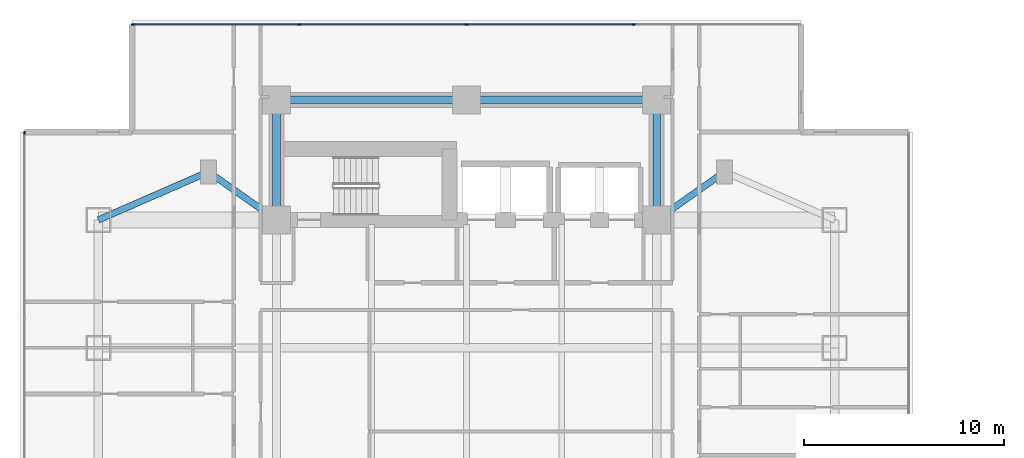
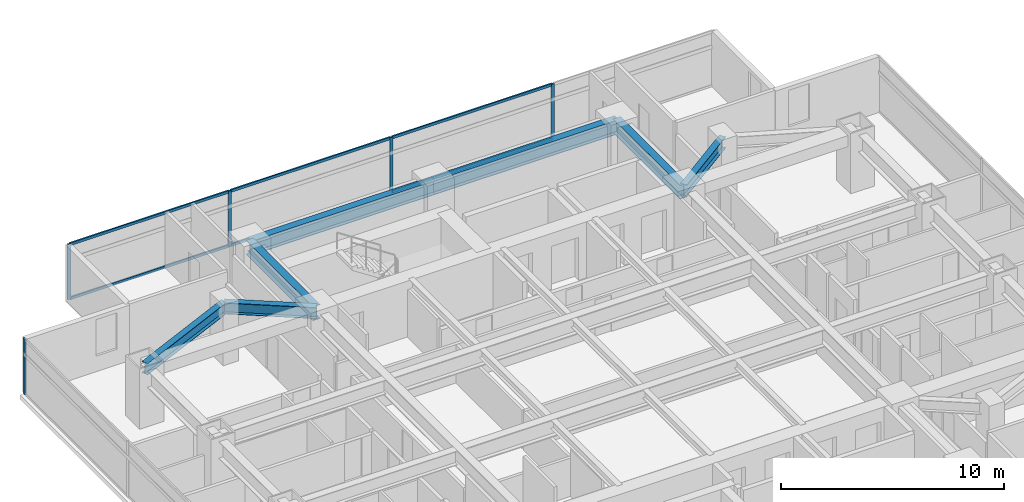
# One storey, part 7 of 25: 11 members, 7 beams, 2 elements without a shape of their own.
"""IFC4 building model written with IfcOpenShell, lengths in metres."""

from ifc_helpers import new_model, si_unit, direction, frame, origin, origin_2d, place, context, subcontext, project, spatial, rectangle, i_section, extrude, material, material_profile, profile_set, type_object, element, aggregate, save


model = new_model("IFC4")

# Units and contexts
model_context = context("Model", 3, precision=1e-05, world=origin(), true_north=direction((0.0, 1.0)))
body_context = subcontext(model_context, "Body", "Model", "MODEL_VIEW")
ifc_project = project(units=[si_unit("LENGTHUNIT", "METRE"), si_unit("AREAUNIT", "SQUARE_METRE"), si_unit("VOLUMEUNIT", "CUBIC_METRE"), si_unit("PLANEANGLEUNIT", "RADIAN"), si_unit("MASSUNIT", "GRAM", prefix="KILO")], contexts=[model_context])

# Site, building, storey
site_placement = place(None, origin())
site = spatial("IfcSite", under=ifc_project, at=site_placement, CompositionType="ELEMENT")
building_placement = place(site_placement, origin())
building = spatial("IfcBuilding", under=site, at=building_placement, Name="Mirazonda Arch Towers", CompositionType="ELEMENT")
storey_placement = place(building_placement, frame((0.0, 0.0, 35.60009765625)))
storey = spatial("IfcBuildingStorey", under=building, at=storey_placement, Name="L09", CompositionType="ELEMENT", Elevation=35.60009765625)

# Beams
ifc_material_1 = material(Name="Steel ASTM A992 Grade 50", Category="steel")
ifc_material_profile_1 = material_profile(ifc_material_1, i_section(OverallWidth=0.324951171875, OverallDepth=0.615966796875, WebThickness=0.013916015625, FlangeThickness=0.021484375, at=origin_2d()), Name="W24X117")
ifc_profile_set_1 = profile_set([ifc_material_profile_1], Name="Steel ASTM A992 Grade 50")
beam_type_1 = type_object("IfcBeamType", Name="BM-INT-W24X117", PredefinedType="BEAM", material=ifc_profile_set_1)
beam_1_placement = place(storey_placement, frame((7.60009765625, 40.0, 2.751953125), z_axis=(0.816971114901, -0.576678591087, 0.0), x_axis=(0.576678591087, 0.816971114901, 0.0)))
element("IfcBeam", 1, at=beam_1_placement, inside=storey, type_object=beam_type_1, Name="L09 Floor Beam BM-T1-L09-PL-NW1", PredefinedType="BEAM", context=body_context, shape_type="SweptSolid", body=[
    extrude(i_section(OverallWidth=0.324951171875, OverallDepth=0.615966796875, WebThickness=0.013916015625, FlangeThickness=0.021484375, at=origin_2d()), origin(), (0.0, 0.0, 1.0), 4.16162109375),
])
beam_2_placement = place(storey_placement, frame((7.60009765625, 40.0, 2.751953125), z_axis=(-0.916545343703, -0.399930785183, 0.0), x_axis=(0.399930785183, -0.916545343703, 0.0)))
element("IfcBeam", 2, at=beam_2_placement, inside=storey, type_object=beam_type_1, Name="L09 Floor Beam BM-T1-L09-PL-NW2", PredefinedType="BEAM", context=body_context, shape_type="SweptSolid", body=[
    extrude(i_section(OverallWidth=0.324951171875, OverallDepth=0.615966796875, WebThickness=0.013916015625, FlangeThickness=0.021484375, at=origin_2d()), origin(), (0.0, 0.0, 1.0), 6.000732421875),
])
beam_3_placement = place(storey_placement, frame((33.39990234375, 40.0, 2.751953125), z_axis=(-0.816971114901, -0.576678591087, 0.0), x_axis=(0.576678591087, -0.816971114901, 0.0)))
element("IfcBeam", 3, at=beam_3_placement, inside=storey, type_object=beam_type_1, Name="L09 Floor Beam BM-T1-L09-PL-NE1", PredefinedType="BEAM", context=body_context, shape_type="SweptSolid", body=[
    extrude(i_section(OverallWidth=0.324951171875, OverallDepth=0.615966796875, WebThickness=0.013916015625, FlangeThickness=0.021484375, at=origin_2d()), origin(), (0.0, 0.0, 1.0), 4.16162109375),
])
ifc_material_profile_2 = material_profile(ifc_material_1, i_section(OverallWidth=0.381103515625, OverallDepth=0.77294921875, WebThickness=0.0166015625, FlangeThickness=0.027099609375, at=origin_2d()), Name="W30X173")
ifc_profile_set_2 = profile_set([ifc_material_profile_2], Name="Steel ASTM A992 Grade 50")
beam_type_2 = type_object("IfcBeamType", Name="BM-INT-W30X173", PredefinedType="USERDEFINED", material=ifc_profile_set_2)
for number, where, z_axis, x_axis, name in (
    (4, (11.0, 43.60009765625, 2.67333984375), (1.0, 0.0, 0.0), (0.0, 1.0, 0.0), "L09 Floor Beam BM-T1-L09-CN1"),
    (5, (20.5, 43.60009765625, 2.67333984375), (1.0, 0.0, 0.0), (0.0, 1.0, 0.0), "L09 Floor Beam BM-T1-L09-CN2"),
):
    element("IfcBeam", number, at=place(storey_placement, frame(where, z_axis=z_axis, x_axis=x_axis)), inside=storey, type_object=beam_type_2, Name=name, ObjectType="GIRDER", PredefinedType="USERDEFINED", context=body_context, shape_type="SweptSolid", body=[
        extrude(i_section(OverallWidth=0.381103515625, OverallDepth=0.77294921875, WebThickness=0.0166015625, FlangeThickness=0.027099609375, at=origin_2d()), origin(), (0.0, 0.0, 1.0), 9.5),
    ])
for number, where, z_axis, x_axis, name in (
    (6, (11.0, 37.60009765625, 2.67333984375), (0.0, 1.0, 0.0), (-1.0, 0.0, 0.0), "L09 Floor Beam BM-T1-L09-CNW"),
    (7, (30.0, 37.60009765625, 2.67333984375), (0.0, 1.0, 0.0), (-1.0, 0.0, 0.0), "L09 Floor Beam BM-T1-L09-CNE"),
):
    element("IfcBeam", number, at=place(storey_placement, frame(where, z_axis=z_axis, x_axis=x_axis)), inside=storey, type_object=beam_type_2, Name=name, ObjectType="GIRDER", PredefinedType="USERDEFINED", context=body_context, shape_type="SweptSolid", body=[
        extrude(i_section(OverallWidth=0.381103515625, OverallDepth=0.77294921875, WebThickness=0.0166015625, FlangeThickness=0.027099609375, at=origin_2d()), origin(), (0.0, 0.0, 1.0), 6.0),
    ])

# Curtain wall, members
ifc_material_2 = material(Name="Anodised Aluminium and Low-E Glass", Category="aluminium")
curtain_wall_type = type_object("IfcCurtainWallType", Name="CW-HTL-UNIT", PredefinedType="NOTDEFINED", material=ifc_material_2)
curtain_wall_1_placement = place(storey_placement, origin())
curtain_wall_1 = element("IfcCurtainWall", 8, at=curtain_wall_1_placement, inside=storey, type_object=curtain_wall_type, Name="L09 T1 N Facade CW-L09-T1-N", PredefinedType="NOTDEFINED")
ifc_material_3 = material(Name="Anodised Aluminium Alloy", Category="aluminium")
ifc_material_profile_3 = material_profile(ifc_material_3, rectangle(XDim=0.074951171875, YDim=0.1650390625, at=origin_2d()), Name="ALU-MULL-75x165")
ifc_profile_set_3 = profile_set([ifc_material_profile_3], Name="Anodised Aluminium Alloy")
member_type_1 = type_object("IfcMemberType", Name="MULL-CW-HTL-UNIT", PredefinedType="MULLION", material=ifc_profile_set_3)
member_1_placement = place(storey_placement, frame((3.8173828125, 47.3720703125, 0.0), z_axis=(0.0, 0.0, 1.0), x_axis=(0.0, 1.0, 0.0)))
member_1 = element("IfcMember", 9, at=member_1_placement, type_object=member_type_1, Name="CW-112 mullion 1", PredefinedType="MULLION", context=body_context, shape_type="SweptSolid", body=[
    extrude(rectangle(XDim=0.074951171875, YDim=0.1650390625, at=origin_2d()), origin(), (0.0, 0.0, 1.0), 3.039794921875),
])
member_2_placement = place(storey_placement, frame((12.139892578125, 47.3720703125, 0.0), z_axis=(0.0, 0.0, 1.0), x_axis=(0.0, 1.0, 0.0)))
member_2 = element("IfcMember", 10, at=member_2_placement, type_object=member_type_1, Name="CW-112 mullion 2", PredefinedType="MULLION", context=body_context, shape_type="SweptSolid", body=[
    extrude(rectangle(XDim=0.074951171875, YDim=0.1650390625, at=origin_2d()), origin(), (0.0, 0.0, 1.0), 3.039794921875),
])
member_3_placement = place(storey_placement, frame((20.5, 47.3720703125, 0.0), z_axis=(0.0, 0.0, 1.0), x_axis=(0.0, 1.0, 0.0)))
member_3 = element("IfcMember", 11, at=member_3_placement, type_object=member_type_1, Name="CW-112 mullion 3", PredefinedType="MULLION", context=body_context, shape_type="SweptSolid", body=[
    extrude(rectangle(XDim=0.074951171875, YDim=0.1650390625, at=origin_2d()), origin(), (0.0, 0.0, 1.0), 3.039794921875),
])
member_4_placement = place(storey_placement, frame((28.860107421875, 47.3720703125, 0.0), z_axis=(0.0, 0.0, 1.0), x_axis=(0.0, 1.0, 0.0)))
member_4 = element("IfcMember", 12, at=member_4_placement, type_object=member_type_1, Name="CW-112 mullion 4", PredefinedType="MULLION", context=body_context, shape_type="SweptSolid", body=[
    extrude(rectangle(XDim=0.074951171875, YDim=0.1650390625, at=origin_2d()), origin(), (0.0, 0.0, 1.0), 3.039794921875),
])

# Curtain wall, member
curtain_wall_2_placement = place(storey_placement, origin())
curtain_wall_2 = element("IfcCurtainWall", 13, at=curtain_wall_2_placement, inside=storey, type_object=curtain_wall_type, Name="L09 T1 W Facade CW-L09-T1-W", PredefinedType="NOTDEFINED")
member_5_placement = place(storey_placement, frame((-1.60009765625, 41.95458984375, 0.0), z_axis=(0.0, 0.0, 1.0), x_axis=(1.0, 0.0, 0.0)))
member_5 = element("IfcMember", 14, at=member_5_placement, type_object=member_type_1, Name="CW-112 mullion 1", PredefinedType="MULLION", context=body_context, shape_type="SweptSolid", body=[
    extrude(rectangle(XDim=0.074951171875, YDim=0.1650390625, at=origin_2d()), origin(), (0.0, 0.0, 1.0), 3.039794921875),
])
aggregate(curtain_wall_2, [member_5])

# Member
ifc_material_profile_4 = material_profile(ifc_material_3, rectangle(XDim=0.074951171875, YDim=0.14501953125, at=origin_2d()), Name="ALU-TRAN-75x145")
ifc_profile_set_4 = profile_set([ifc_material_profile_4], Name="Anodised Aluminium Alloy")
member_type_2 = type_object("IfcMemberType", Name="TRAN-CW-HTL-UNIT", PredefinedType="USERDEFINED", material=ifc_profile_set_4)
member_6_placement = place(storey_placement, frame((3.85498046875, 47.3720703125, 0.037353515625), z_axis=(1.0, 0.0, 0.0), x_axis=(0.0, 1.0, 0.0)))
member_6 = element("IfcMember", 15, at=member_6_placement, type_object=member_type_2, Name="CW-112 transom 1.1", ObjectType="TRANSOM", PredefinedType="USERDEFINED", context=body_context, shape_type="SweptSolid", body=[
    extrude(rectangle(XDim=0.074951171875, YDim=0.14501953125, at=origin_2d()), origin(), (0.0, 0.0, 1.0), 8.24755859375),
])

member_7_placement = place(storey_placement, frame((3.85498046875, 47.3720703125, 3.00244140625), z_axis=(1.0, 0.0, 0.0), x_axis=(0.0, 1.0, 0.0)))
member_7 = element("IfcMember", 16, at=member_7_placement, type_object=member_type_2, Name="CW-112 transom 1.2", ObjectType="TRANSOM", PredefinedType="USERDEFINED", context=body_context, shape_type="SweptSolid", body=[
    extrude(rectangle(XDim=0.074951171875, YDim=0.14501953125, at=origin_2d()), origin(), (0.0, 0.0, 1.0), 8.24755859375),
])

member_8_placement = place(storey_placement, frame((12.177490234375, 47.3720703125, 0.037353515625), z_axis=(1.0, 0.0, 0.0), x_axis=(0.0, 1.0, 0.0)))
member_8 = element("IfcMember", 17, at=member_8_placement, type_object=member_type_2, Name="CW-112 transom 2.1", ObjectType="TRANSOM", PredefinedType="USERDEFINED", context=body_context, shape_type="SweptSolid", body=[
    extrude(rectangle(XDim=0.074951171875, YDim=0.14501953125, at=origin_2d()), origin(), (0.0, 0.0, 1.0), 8.284912109375),
])

member_9_placement = place(storey_placement, frame((12.177490234375, 47.3720703125, 3.00244140625), z_axis=(1.0, 0.0, 0.0), x_axis=(0.0, 1.0, 0.0)))
member_9 = element("IfcMember", 18, at=member_9_placement, type_object=member_type_2, Name="CW-112 transom 2.2", ObjectType="TRANSOM", PredefinedType="USERDEFINED", context=body_context, shape_type="SweptSolid", body=[
    extrude(rectangle(XDim=0.074951171875, YDim=0.14501953125, at=origin_2d()), origin(), (0.0, 0.0, 1.0), 8.284912109375),
])

member_10_placement = place(storey_placement, frame((20.53759765625, 47.3720703125, 0.037353515625), z_axis=(1.0, 0.0, 0.0), x_axis=(0.0, 1.0, 0.0)))
member_10 = element("IfcMember", 19, at=member_10_placement, type_object=member_type_2, Name="CW-112 transom 3.1", ObjectType="TRANSOM", PredefinedType="USERDEFINED", context=body_context, shape_type="SweptSolid", body=[
    extrude(rectangle(XDim=0.074951171875, YDim=0.14501953125, at=origin_2d()), origin(), (0.0, 0.0, 1.0), 8.284912109375),
])

member_11_placement = place(storey_placement, frame((20.53759765625, 47.3720703125, 3.00244140625), z_axis=(1.0, 0.0, 0.0), x_axis=(0.0, 1.0, 0.0)))
member_11 = element("IfcMember", 20, at=member_11_placement, type_object=member_type_2, Name="CW-112 transom 3.2", ObjectType="TRANSOM", PredefinedType="USERDEFINED", context=body_context, shape_type="SweptSolid", body=[
    extrude(rectangle(XDim=0.074951171875, YDim=0.14501953125, at=origin_2d()), origin(), (0.0, 0.0, 1.0), 8.284912109375),
])

aggregate(curtain_wall_1, [member_1, member_2, member_3, member_4, member_6, member_7, member_8, member_9, member_10, member_11])

save(model, "model.ifc")
